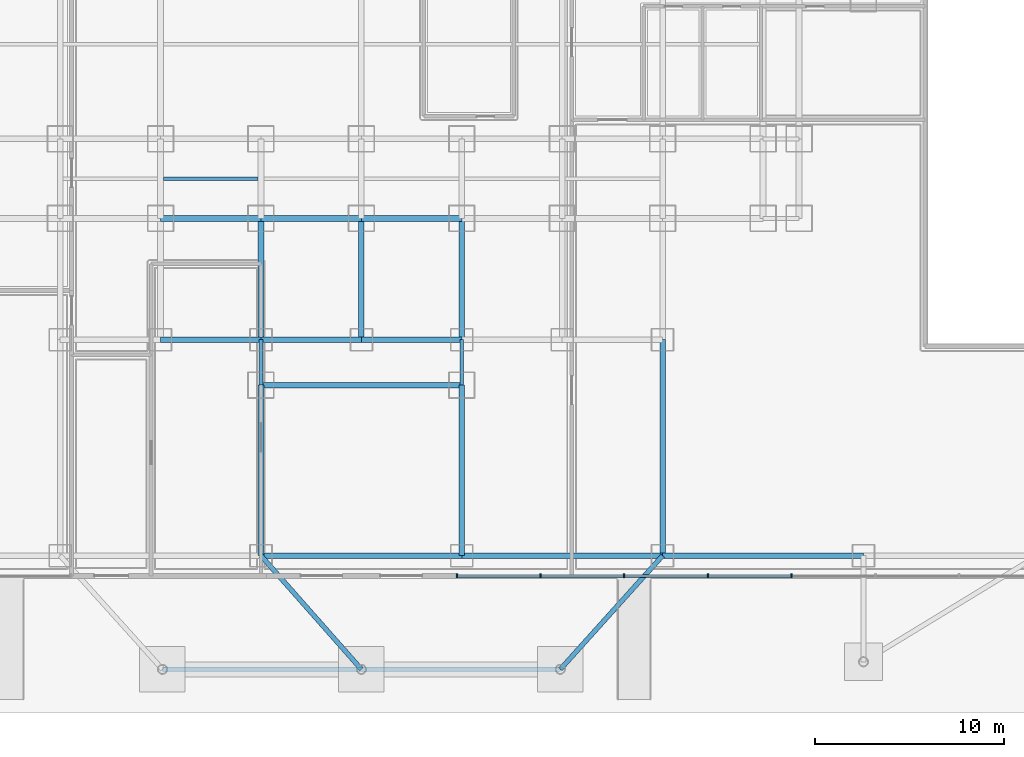
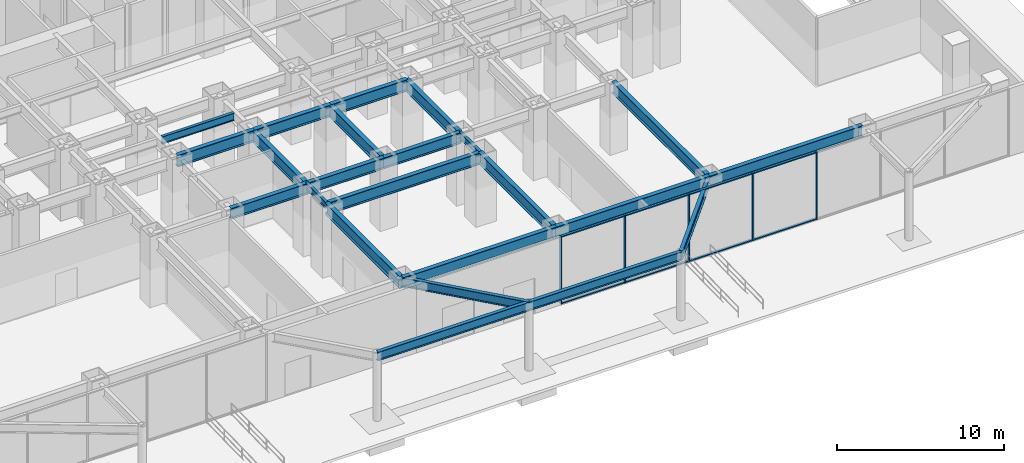
# One storey, part 6 of 18: 22 beams, 13 members, 1 element without a shape of its own.
"""IFC4 building model written with IfcOpenShell, lengths in metres."""

from ifc_helpers import new_model, si_unit, direction, frame, origin, origin_2d, place, context, subcontext, project, spatial, rectangle, i_section, extrude, source, transform, mapped, material, layer, layer_set, material_profile, profile_set, type_object, element, aggregate, save


model = new_model("IFC4")

# Units and contexts
model_context = context("Model", 3, precision=1e-05, world=origin(), true_north=direction((0.0, 1.0)))
body_context = subcontext(model_context, "Body", "Model", "MODEL_VIEW")
ifc_project = project(units=[si_unit("LENGTHUNIT", "METRE"), si_unit("AREAUNIT", "SQUARE_METRE"), si_unit("VOLUMEUNIT", "CUBIC_METRE"), si_unit("PLANEANGLEUNIT", "RADIAN"), si_unit("MASSUNIT", "GRAM", prefix="KILO")], contexts=[model_context])

# Site, building, storey
site_placement = place(None, origin())
site = spatial("IfcSite", under=ifc_project, at=site_placement, CompositionType="ELEMENT")
building_placement = place(site_placement, origin())
building = spatial("IfcBuilding", under=site, at=building_placement, Name="Qianlan Lanfeng Residences", CompositionType="ELEMENT")
storey_placement = place(building_placement, origin())
storey = spatial("IfcBuildingStorey", under=building, at=storey_placement, Name="L00", CompositionType="ELEMENT", Elevation=0.0)

# Beams
ifc_material_1 = material(Name="Steel SN490B", Category="steel")
ifc_material_profile_1 = material_profile(ifc_material_1, i_section(OverallWidth=0.300048828125, OverallDepth=0.85009765625, WebThickness=0.01611328125, FlangeThickness=0.031982421875, at=origin_2d()), Name="H 850x300x16x32")
ifc_profile_set_1 = profile_set([ifc_material_profile_1], Name="Steel SN490B")
beam_type_1 = type_object("IfcBeamType", Name="G-1100", PredefinedType="BEAM", material=ifc_profile_set_1)
beam_1_placement = place(storey_placement, frame((21.199951171875, 1.800048828125, 4.52490234375), z_axis=(1.0, 0.0, 0.0), x_axis=(0.0, 1.0, 0.0)))
element("IfcBeam", 1, at=beam_1_placement, inside=storey, type_object=beam_type_1, Name="Structural beam G-1100", PredefinedType="BEAM", context=body_context, shape_type="SweptSolid", body=[
    extrude(i_section(OverallWidth=0.300048828125, OverallDepth=0.85009765625, WebThickness=0.01611328125, FlangeThickness=0.031982421875, at=origin_2d()), origin(), (0.0, 0.0, 1.0), 10.60009765625),
])
for number, where, z_axis, x_axis, name in (
    (2, (15.89990234375, 10.60009765625, 4.52490234375), (1.0, 0.0, 0.0), (0.0, 1.0, 0.0), "Structural beam G-1100"),
    (3, (21.199951171875, 10.60009765625, 4.52490234375), (1.0, 0.0, 0.0), (0.0, 1.0, 0.0), "Structural beam G-1100"),
    (4, (26.5, 10.60009765625, 4.52490234375), (1.0, 0.0, 0.0), (0.0, 1.0, 0.0), "Structural beam G-1100"),
):
    element("IfcBeam", number, at=place(storey_placement, frame(where, z_axis=z_axis, x_axis=x_axis)), inside=storey, type_object=beam_type_1, Name=name, PredefinedType="BEAM", context=body_context, shape_type="SweptSolid", body=[
        extrude(i_section(OverallWidth=0.300048828125, OverallDepth=0.85009765625, WebThickness=0.01611328125, FlangeThickness=0.031982421875, at=origin_2d()), origin(), (0.0, 0.0, 1.0), 5.300048828125),
    ])
beam_2_placement = place(storey_placement, frame((21.199951171875, -7.199951171875, 4.52490234375), z_axis=(0.0, 1.0, 0.0), x_axis=(-1.0, 0.0, 0.0)))
element("IfcBeam", 5, at=beam_2_placement, inside=storey, type_object=beam_type_1, Name="Structural beam G-1100", PredefinedType="BEAM", context=body_context, shape_type="SweptSolid", body=[
    extrude(i_section(OverallWidth=0.300048828125, OverallDepth=0.85009765625, WebThickness=0.01611328125, FlangeThickness=0.031982421875, at=origin_2d()), origin(), (0.0, 0.0, 1.0), 9.0),
])
for number, where, z_axis, x_axis, name in (
    (6, (21.199951171875, 4.199951171875, 4.52490234375), (0.0, 1.0, 0.0), (-1.0, 0.0, 0.0), "Structural beam G-1100"),
    (7, (26.5, 4.199951171875, 4.52490234375), (0.0, 1.0, 0.0), (-1.0, 0.0, 0.0), "Structural beam G-1100"),
):
    element("IfcBeam", number, at=place(storey_placement, frame(where, z_axis=z_axis, x_axis=x_axis)), inside=storey, type_object=beam_type_1, Name=name, PredefinedType="BEAM", context=body_context, shape_type="SweptSolid", body=[
        extrude(i_section(OverallWidth=0.300048828125, OverallDepth=0.85009765625, WebThickness=0.01611328125, FlangeThickness=0.031982421875, at=origin_2d()), origin(), (0.0, 0.0, 1.0), 6.400146484375),
    ])
beam_3_placement = place(storey_placement, frame((31.800048828125, -7.199951171875, 4.52490234375), z_axis=(0.0, 1.0, 0.0), x_axis=(-1.0, 0.0, 0.0)))
element("IfcBeam", 8, at=beam_3_placement, inside=storey, type_object=beam_type_1, Name="Structural beam G-1100", PredefinedType="BEAM", context=body_context, shape_type="SweptSolid", body=[
    extrude(i_section(OverallWidth=0.300048828125, OverallDepth=0.85009765625, WebThickness=0.01611328125, FlangeThickness=0.031982421875, at=origin_2d()), origin(), (0.0, 0.0, 1.0), 9.0),
])
beam_4_placement = place(storey_placement, frame((31.800048828125, 4.199951171875, 4.52490234375), z_axis=(0.0, 1.0, 0.0), x_axis=(-1.0, 0.0, 0.0)))
element("IfcBeam", 9, at=beam_4_placement, inside=storey, type_object=beam_type_1, Name="Structural beam G-1100", PredefinedType="BEAM", context=body_context, shape_type="SweptSolid", body=[
    extrude(i_section(OverallWidth=0.300048828125, OverallDepth=0.85009765625, WebThickness=0.01611328125, FlangeThickness=0.031982421875, at=origin_2d()), origin(), (0.0, 0.0, 1.0), 6.400146484375),
])
beam_5_placement = place(storey_placement, frame((42.39990234375, -7.199951171875, 4.52490234375), z_axis=(0.0, 1.0, 0.0), x_axis=(-1.0, 0.0, 0.0)))
element("IfcBeam", 10, at=beam_5_placement, inside=storey, type_object=beam_type_1, Name="Structural beam G-1100", PredefinedType="BEAM", context=body_context, shape_type="SweptSolid", body=[
    extrude(i_section(OverallWidth=0.300048828125, OverallDepth=0.85009765625, WebThickness=0.01611328125, FlangeThickness=0.031982421875, at=origin_2d()), origin(), (0.0, 0.0, 1.0), 11.39990234375),
])
ifc_material_profile_2 = material_profile(ifc_material_1, i_section(OverallWidth=0.199951171875, OverallDepth=0.449951171875, WebThickness=0.009033203125, FlangeThickness=0.013916015625, at=origin_2d()), Name="H 450x200x9x14")
ifc_profile_set_2 = profile_set([ifc_material_profile_2], Name="Steel SN490B")
beam_type_2 = type_object("IfcBeamType", Name="J-450", PredefinedType="JOIST", material=ifc_profile_set_2)
for number, where, z_axis, x_axis, name in (
    (11, (21.199951171875, 1.800048828125, 4.72509765625), (0.0, 1.0, 0.0), (-1.0, 0.0, 0.0), "Structural beam J-450"),
    (12, (31.800048828125, 1.800048828125, 4.72509765625), (0.0, 1.0, 0.0), (-1.0, 0.0, 0.0), "Structural beam J-450"),
):
    element("IfcBeam", number, at=place(storey_placement, frame(where, z_axis=z_axis, x_axis=x_axis)), inside=storey, type_object=beam_type_2, Name=name, PredefinedType="JOIST", context=body_context, shape_type="SweptSolid", body=[
        extrude(i_section(OverallWidth=0.199951171875, OverallDepth=0.449951171875, WebThickness=0.009033203125, FlangeThickness=0.013916015625, at=origin_2d()), origin(), (0.0, 0.0, 1.0), 2.39990234375),
    ])
ifc_material_profile_3 = material_profile(ifc_material_1, i_section(OverallWidth=0.199951171875, OverallDepth=0.550048828125, WebThickness=0.010986328125, FlangeThickness=0.01806640625, at=origin_2d()), Name="H 550x200x11x18")
ifc_profile_set_3 = profile_set([ifc_material_profile_3], Name="Steel SN490B")
beam_type_3 = type_object("IfcBeamType", Name="J-550", PredefinedType="JOIST", material=ifc_profile_set_3)
beam_6_placement = place(storey_placement, frame((16.050048828125, 12.699951171875, 4.675048828125), z_axis=(1.0, 0.0, 0.0), x_axis=(0.0, 1.0, 0.0)))
element("IfcBeam", 13, at=beam_6_placement, inside=storey, type_object=beam_type_3, Name="Structural beam J-550", PredefinedType="JOIST", context=body_context, shape_type="SweptSolid", body=[
    extrude(i_section(OverallWidth=0.199951171875, OverallDepth=0.550048828125, WebThickness=0.010986328125, FlangeThickness=0.01806640625, at=origin_2d()), origin(), (0.0, 0.0, 1.0), 5.0),
])
ifc_material_profile_4 = material_profile(ifc_material_1, i_section(OverallWidth=0.25, OverallDepth=0.64990234375, WebThickness=0.012939453125, FlangeThickness=0.02197265625, at=origin_2d()), Name="H 650x250x13x22")
ifc_profile_set_4 = profile_set([ifc_material_profile_4], Name="Steel SN490B")
beam_type_4 = type_object("IfcBeamType", Name="SG-650", PredefinedType="SPANDREL", material=ifc_profile_set_4)
beam_7_placement = place(storey_placement, frame((16.0, -13.199951171875, 4.625), z_axis=(1.0, 0.0, 0.0), x_axis=(0.0, 1.0, 0.0)))
element("IfcBeam", 14, at=beam_7_placement, inside=storey, type_object=beam_type_4, Name="Entrance Canopy Header Beam", PredefinedType="SPANDREL", context=body_context, shape_type="SweptSolid", body=[
    extrude(i_section(OverallWidth=0.25, OverallDepth=0.64990234375, WebThickness=0.012939453125, FlangeThickness=0.02197265625, at=origin_2d()), origin(), (0.0, 0.0, 1.0), 21.0),
])
beam_8_placement = place(storey_placement, frame((26.5, -13.199951171875, 4.625), z_axis=(-0.662038096385, 0.749470185488, 0.0), x_axis=(-0.749470185488, -0.662038096385, 0.0)))
element("IfcBeam", 15, at=beam_8_placement, inside=storey, type_object=beam_type_4, Name="Entrance Canopy Tie Beam 2", PredefinedType="SPANDREL", context=body_context, shape_type="SweptSolid", body=[
    extrude(i_section(OverallWidth=0.25, OverallDepth=0.64990234375, WebThickness=0.012939453125, FlangeThickness=0.02197265625, at=origin_2d()), origin(), (0.0, 0.0, 1.0), 8.005615234375),
])
beam_9_placement = place(storey_placement, frame((37.0, -13.199951171875, 4.625), z_axis=(0.668958047626, 0.743300161789, 0.0), x_axis=(-0.743300161789, 0.668958047626, 0.0)))
element("IfcBeam", 16, at=beam_9_placement, inside=storey, type_object=beam_type_4, Name="Entrance Canopy Tie Beam 3", PredefinedType="SPANDREL", context=body_context, shape_type="SweptSolid", body=[
    extrude(i_section(OverallWidth=0.25, OverallDepth=0.64990234375, WebThickness=0.012939453125, FlangeThickness=0.02197265625, at=origin_2d()), origin(), (0.0, 0.0, 1.0), 8.072021484375),
])
ifc_material_profile_5 = material_profile(ifc_material_1, i_section(OverallWidth=0.300048828125, OverallDepth=0.800048828125, WebThickness=0.01611328125, FlangeThickness=0.028076171875, at=origin_2d()), Name="H 800x300x16x28")
ifc_profile_set_5 = profile_set([ifc_material_profile_5], Name="Steel SN490B")
beam_type_5 = type_object("IfcBeamType", Name="SG-950", PredefinedType="SPANDREL", material=ifc_profile_set_5)
beam_10_placement = place(storey_placement, frame((21.199951171875, -7.199951171875, 4.550048828125), z_axis=(1.0, 0.0, 0.0), x_axis=(0.0, 1.0, 0.0)))
element("IfcBeam", 17, at=beam_10_placement, inside=storey, type_object=beam_type_5, Name="Structural beam SG-950", PredefinedType="SPANDREL", context=body_context, shape_type="SweptSolid", body=[
    extrude(i_section(OverallWidth=0.300048828125, OverallDepth=0.800048828125, WebThickness=0.01611328125, FlangeThickness=0.028076171875, at=origin_2d()), origin(), (0.0, 0.0, 1.0), 10.60009765625),
])
beam_11_placement = place(storey_placement, frame((31.800048828125, -7.199951171875, 4.550048828125), z_axis=(1.0, 0.0, 0.0), x_axis=(0.0, 1.0, 0.0)))
element("IfcBeam", 18, at=beam_11_placement, inside=storey, type_object=beam_type_5, Name="Structural beam SG-950", PredefinedType="SPANDREL", context=body_context, shape_type="SweptSolid", body=[
    extrude(i_section(OverallWidth=0.300048828125, OverallDepth=0.800048828125, WebThickness=0.01611328125, FlangeThickness=0.028076171875, at=origin_2d()), origin(), (0.0, 0.0, 1.0), 10.599853515625),
])
beam_12_placement = place(storey_placement, frame((42.39990234375, -7.199951171875, 4.550048828125), z_axis=(1.0, 0.0, 0.0), x_axis=(0.0, 1.0, 0.0)))
element("IfcBeam", 19, at=beam_12_placement, inside=storey, type_object=beam_type_5, Name="Structural beam SG-950", PredefinedType="SPANDREL", context=body_context, shape_type="SweptSolid", body=[
    extrude(i_section(OverallWidth=0.300048828125, OverallDepth=0.800048828125, WebThickness=0.01611328125, FlangeThickness=0.028076171875, at=origin_2d()), origin(), (0.0, 0.0, 1.0), 10.60009765625),
])
for number, where, z_axis, x_axis, name in (
    (20, (15.89990234375, 4.199951171875, 4.550048828125), (1.0, 0.0, 0.0), (0.0, 1.0, 0.0), "Structural beam SG-950"),
    (21, (21.199951171875, 4.199951171875, 4.550048828125), (1.0, 0.0, 0.0), (0.0, 1.0, 0.0), "Structural beam SG-950"),
    (22, (26.5, 4.199951171875, 4.550048828125), (1.0, 0.0, 0.0), (0.0, 1.0, 0.0), "Structural beam SG-950"),
):
    element("IfcBeam", number, at=place(storey_placement, frame(where, z_axis=z_axis, x_axis=x_axis)), inside=storey, type_object=beam_type_5, Name=name, PredefinedType="SPANDREL", context=body_context, shape_type="SweptSolid", body=[
        extrude(i_section(OverallWidth=0.300048828125, OverallDepth=0.800048828125, WebThickness=0.01611328125, FlangeThickness=0.028076171875, at=origin_2d()), origin(), (0.0, 0.0, 1.0), 5.300048828125),
    ])

# Curtain wall, members
ifc_material_2 = material(Name="Anodised Bronze Aluminium 6063-T6", Category="aluminium")
ifc_layer = layer(ifc_material_2, 0.219970703125)
ifc_layer_set = layer_set([ifc_layer], Name="Anodised Bronze Aluminium 6063-T6")
curtain_wall_type = type_object("IfcCurtainWallType", Name="CW-01", PredefinedType="NOTDEFINED", material=ifc_layer_set)
curtain_wall_placement = place(storey_placement, origin())
curtain_wall = element("IfcCurtainWall", 23, at=curtain_wall_placement, inside=storey, type_object=curtain_wall_type, Name="L00 Unitised Curtain Wall CWR-L00-SE (CW-01)", PredefinedType="NOTDEFINED")
ifc_material_profile_6 = material_profile(ifc_material_2, rectangle(XDim=0.080078125, YDim=0.2099609375, at=origin_2d()), Name="ALU MULLION 80x210")
ifc_profile_set_6 = profile_set([ifc_material_profile_6], Name="Anodised Bronze Aluminium 6063-T6")
member_type_1 = type_object("IfcMemberType", Name="CWM-220", PredefinedType="MULLION", material=ifc_profile_set_6)
shared_shape_1 = source(origin(), body_context, "Body", "SweptSolid", [
    extrude(rectangle(XDim=0.080078125, YDim=0.2099609375, at=origin_2d()), origin(), (0.0, 0.0, 1.0), 4.949951171875),
])
member_1_placement = place(storey_placement, frame((31.5400390625, -8.27001953125, 0.0), z_axis=(0.0, 0.0, 1.0), x_axis=(1.0, 0.0, 0.0)))
member_1 = element("IfcMember", 24, at=member_1_placement, type_object=member_type_1, Name="CWR-L00-SE Mullion 1", PredefinedType="MULLION", context=body_context, shape_type="MappedRepresentation", body=[
    mapped(shared_shape_1, transform((0.0, 0.0, 0.0), scale=1.0)),
])
member_2_placement = place(storey_placement, frame((35.95703125, -8.27001953125, 0.0), z_axis=(0.0, 0.0, 1.0), x_axis=(1.0, 0.0, 0.0)))
member_2 = element("IfcMember", 25, at=member_2_placement, type_object=member_type_1, Name="CWR-L00-SE Mullion 2", PredefinedType="MULLION", context=body_context, shape_type="MappedRepresentation", body=[
    mapped(shared_shape_1, transform((0.0, 0.0, 0.0), scale=1.0)),
])
member_3_placement = place(storey_placement, frame((40.374267578125, -8.27001953125, 0.0), z_axis=(0.0, 0.0, 1.0), x_axis=(1.0, 0.0, 0.0)))
member_3 = element("IfcMember", 26, at=member_3_placement, type_object=member_type_1, Name="CWR-L00-SE Mullion 3", PredefinedType="MULLION", context=body_context, shape_type="MappedRepresentation", body=[
    mapped(shared_shape_1, transform((0.0, 0.0, 0.0), scale=1.0)),
])
member_4_placement = place(storey_placement, frame((44.79150390625, -8.27001953125, 0.0), z_axis=(0.0, 0.0, 1.0), x_axis=(1.0, 0.0, 0.0)))
member_4 = element("IfcMember", 27, at=member_4_placement, type_object=member_type_1, Name="CWR-L00-SE Mullion 4", PredefinedType="MULLION", context=body_context, shape_type="MappedRepresentation", body=[
    mapped(shared_shape_1, transform((0.0, 0.0, 0.0), scale=1.0)),
])
member_5_placement = place(storey_placement, frame((49.20849609375, -8.27001953125, 0.0), z_axis=(0.0, 0.0, 1.0), x_axis=(1.0, 0.0, 0.0)))
member_5 = element("IfcMember", 28, at=member_5_placement, type_object=member_type_1, Name="CWR-L00-SE Mullion 5", PredefinedType="MULLION", context=body_context, shape_type="MappedRepresentation", body=[
    mapped(shared_shape_1, transform((0.0, 0.0, 0.0), scale=1.0)),
])
ifc_material_profile_7 = material_profile(ifc_material_2, rectangle(XDim=0.080078125, YDim=0.159912109375, at=origin_2d()), Name="ALU TRANSOM 80x160")
ifc_profile_set_7 = profile_set([ifc_material_profile_7], Name="Anodised Bronze Aluminium 6063-T6")
member_type_2 = type_object("IfcMemberType", Name="CWT-180", PredefinedType="USERDEFINED", material=ifc_profile_set_7)
shared_shape_2 = source(origin(), body_context, "Body", "SweptSolid", [
    extrude(rectangle(XDim=0.080078125, YDim=0.159912109375, at=origin_2d()), origin(), (0.0, 0.0, 1.0), 4.3369140625),
])
member_6_placement = place(storey_placement, frame((31.580078125, -8.27001953125, 0.0400390625), z_axis=(1.0, 0.0, 0.0), x_axis=(0.0, 0.0, 1.0)))
member_6 = element("IfcMember", 29, at=member_6_placement, type_object=member_type_2, Name="CWR-L00-SE Transom 1-BOT", ObjectType="TRANSOM", PredefinedType="USERDEFINED", context=body_context, shape_type="MappedRepresentation", body=[
    mapped(shared_shape_2, transform((0.0, 0.0, 0.0), scale=1.0)),
])
member_7_placement = place(storey_placement, frame((31.580078125, -8.27001953125, 4.909912109375), z_axis=(1.0, 0.0, 0.0), x_axis=(0.0, 0.0, 1.0)))
member_7 = element("IfcMember", 30, at=member_7_placement, type_object=member_type_2, Name="CWR-L00-SE Transom 1-TOP", ObjectType="TRANSOM", PredefinedType="USERDEFINED", context=body_context, shape_type="MappedRepresentation", body=[
    mapped(shared_shape_2, transform((0.0, 0.0, 0.0), scale=1.0)),
])
shared_shape_3 = source(origin(), body_context, "Body", "SweptSolid", [
    extrude(rectangle(XDim=0.080078125, YDim=0.159912109375, at=origin_2d()), origin(), (0.0, 0.0, 1.0), 4.337158203125),
])
member_8_placement = place(storey_placement, frame((35.9970703125, -8.27001953125, 0.0400390625), z_axis=(1.0, 0.0, 0.0), x_axis=(0.0, 0.0, 1.0)))
member_8 = element("IfcMember", 31, at=member_8_placement, type_object=member_type_2, Name="CWR-L00-SE Transom 2-BOT", ObjectType="TRANSOM", PredefinedType="USERDEFINED", context=body_context, shape_type="MappedRepresentation", body=[
    mapped(shared_shape_3, transform((0.0, 0.0, 0.0), scale=1.0)),
])
member_9_placement = place(storey_placement, frame((35.9970703125, -8.27001953125, 4.909912109375), z_axis=(1.0, 0.0, 0.0), x_axis=(0.0, 0.0, 1.0)))
member_9 = element("IfcMember", 32, at=member_9_placement, type_object=member_type_2, Name="CWR-L00-SE Transom 2-TOP", ObjectType="TRANSOM", PredefinedType="USERDEFINED", context=body_context, shape_type="MappedRepresentation", body=[
    mapped(shared_shape_3, transform((0.0, 0.0, 0.0), scale=1.0)),
])
member_10_placement = place(storey_placement, frame((40.414306640625, -8.27001953125, 0.0400390625), z_axis=(1.0, 0.0, 0.0), x_axis=(0.0, 0.0, 1.0)))
member_10 = element("IfcMember", 33, at=member_10_placement, type_object=member_type_2, Name="CWR-L00-SE Transom 3-BOT", ObjectType="TRANSOM", PredefinedType="USERDEFINED", context=body_context, shape_type="MappedRepresentation", body=[
    mapped(shared_shape_3, transform((0.0, 0.0, 0.0), scale=1.0)),
])
member_11_placement = place(storey_placement, frame((40.414306640625, -8.27001953125, 4.909912109375), z_axis=(1.0, 0.0, 0.0), x_axis=(0.0, 0.0, 1.0)))
member_11 = element("IfcMember", 34, at=member_11_placement, type_object=member_type_2, Name="CWR-L00-SE Transom 3-TOP", ObjectType="TRANSOM", PredefinedType="USERDEFINED", context=body_context, shape_type="MappedRepresentation", body=[
    mapped(shared_shape_3, transform((0.0, 0.0, 0.0), scale=1.0)),
])
shared_shape_4 = source(origin(), body_context, "Body", "SweptSolid", [
    extrude(rectangle(XDim=0.080078125, YDim=0.159912109375, at=origin_2d()), origin(), (0.0, 0.0, 1.0), 4.33740234375),
])
member_12_placement = place(storey_placement, frame((44.831298828125, -8.27001953125, 0.0400390625), z_axis=(1.0, 0.0, 0.0), x_axis=(0.0, 0.0, 1.0)))
member_12 = element("IfcMember", 35, at=member_12_placement, type_object=member_type_2, Name="CWR-L00-SE Transom 4-BOT", ObjectType="TRANSOM", PredefinedType="USERDEFINED", context=body_context, shape_type="MappedRepresentation", body=[
    mapped(shared_shape_4, transform((0.0, 0.0, 0.0), scale=1.0)),
])
member_13_placement = place(storey_placement, frame((44.831298828125, -8.27001953125, 4.909912109375), z_axis=(1.0, 0.0, 0.0), x_axis=(0.0, 0.0, 1.0)))
member_13 = element("IfcMember", 36, at=member_13_placement, type_object=member_type_2, Name="CWR-L00-SE Transom 4-TOP", ObjectType="TRANSOM", PredefinedType="USERDEFINED", context=body_context, shape_type="MappedRepresentation", body=[
    mapped(shared_shape_4, transform((0.0, 0.0, 0.0), scale=1.0)),
])
aggregate(curtain_wall, [member_1, member_2, member_3, member_4, member_5, member_6, member_7, member_8, member_9, member_10, member_11, member_12, member_13])

save(model, "model.ifc")
